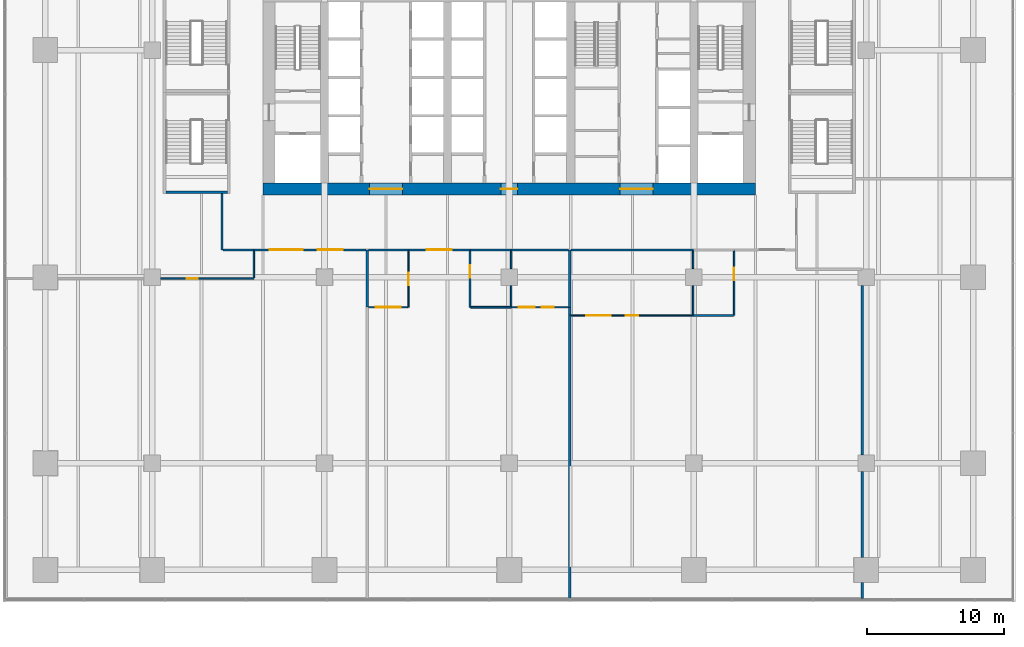
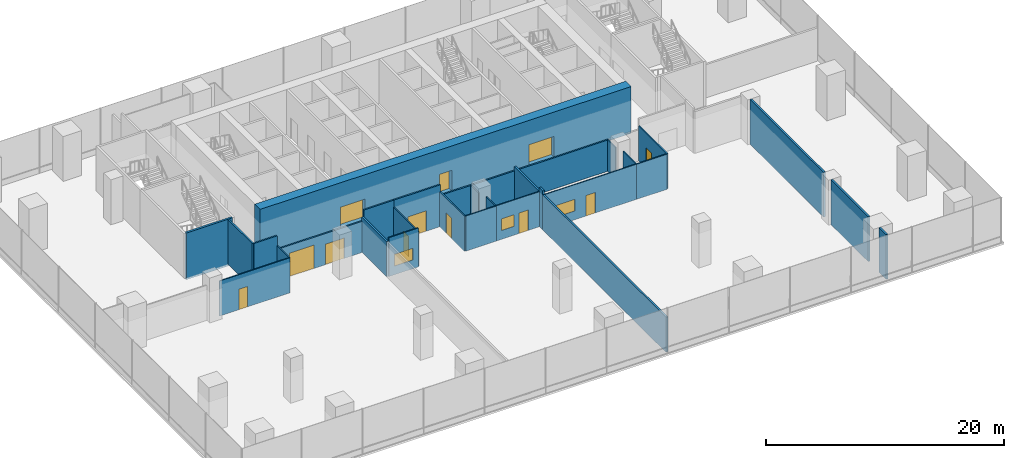
# One storey, part 19 of 28: 31 walls, 11 doors, 4 windows, 15 openings.
"""IFC4 building model written with IfcOpenShell, lengths in metres."""

from ifc_helpers import new_model, si_unit, direction, frame, frame_2d, origin, place, context, subcontext, project, spatial, rectangle, extrude, material, layer, layer_set, type_object, element, fill, save


model = new_model("IFC4")

# Units and contexts
model_context = context("Model", 3, precision=1e-05, world=origin(), true_north=direction((0.0, 1.0)))
body_context = subcontext(model_context, "Body", "Model", "MODEL_VIEW")
ifc_project = project(units=[si_unit("LENGTHUNIT", "METRE"), si_unit("AREAUNIT", "SQUARE_METRE"), si_unit("VOLUMEUNIT", "CUBIC_METRE"), si_unit("PLANEANGLEUNIT", "RADIAN"), si_unit("MASSUNIT", "GRAM", prefix="KILO")], contexts=[model_context])

# Site, building, storey
site_placement = place(None, origin())
site = spatial("IfcSite", under=ifc_project, at=site_placement, CompositionType="ELEMENT")
building_placement = place(site_placement, origin())
building = spatial("IfcBuilding", under=site, at=building_placement, Name="Rattan Terrace Tower", CompositionType="ELEMENT")
storey_placement = place(building_placement, frame((0.0, 0.0, 17.39990234375)))
storey = spatial("IfcBuildingStorey", under=building, at=storey_placement, Name="L03", CompositionType="ELEMENT", Elevation=17.39990234375)

# Wall, openings, doors
ifc_material_1 = material(Name="Concrete C70/85", Category="concrete")
ifc_layer_1 = layer(ifc_material_1, 0.89990234375)
ifc_layer_set_1 = layer_set([ifc_layer_1], Name="Core ring wall 900 C70/85")
wall_type_1 = type_object("IfcWallType", Name="Core ring wall 900 C70/85", PredefinedType="SHEAR", material=ifc_layer_set_1)
wall_1_placement = place(storey_placement, frame((-18.0, -7.050048828125, -0.199951171875), z_axis=(0.0, 0.0, 1.0), x_axis=(1.0, 0.0, 0.0)))
wall_1 = element("IfcWall", 1, at=wall_1_placement, inside=storey, type_object=wall_type_1, Name="Rear core wall south", PredefinedType="SHEAR", context=body_context, shape_type="SweptSolid", body=[
    extrude(rectangle(XDim=36.0, YDim=0.89990234375, at=frame_2d((18.0, 0.0))), origin(), (0.0, 0.0, 1.0), 4.800048828125),
])
opening_1_placement = place(wall_1_placement, frame((7.800048828125, 0.0, 0.199951171875)))
opening_1 = element("IfcOpeningElement", 2, at=opening_1_placement, cuts=wall_1, Name="Opening L03-D007", PredefinedType="OPENING", context=body_context, shape_type="SweptSolid", body=[
    extrude(rectangle(XDim=2.39990234375, YDim=2.10009765625, at=frame_2d((1.199951171875, 1.050048828125))), frame((0.0, 0.46044921875, 0.0), z_axis=(0.0, -1.0, 0.0), x_axis=(1.0, 0.0, 0.0)), (0.0, 0.0, 1.0), 0.9208984375),
])
opening_2_placement = place(wall_1_placement, frame((17.39990234375, 0.0, 0.199951171875)))
opening_2 = element("IfcOpeningElement", 3, at=opening_2_placement, cuts=wall_1, Name="Opening L03-D010", PredefinedType="OPENING", context=body_context, shape_type="SweptSolid", body=[
    extrude(rectangle(XDim=1.199951171875, YDim=2.10009765625, at=frame_2d((0.60009765625, 1.050048828125))), frame((0.0, 0.46044921875, 0.0), z_axis=(0.0, -1.0, 0.0), x_axis=(1.0, 0.0, 0.0)), (0.0, 0.0, 1.0), 0.9208984375),
])
opening_3_placement = place(wall_1_placement, frame((26.10009765625, 0.0, 0.199951171875)))
opening_3 = element("IfcOpeningElement", 4, at=opening_3_placement, cuts=wall_1, Name="Opening L03-D015", PredefinedType="OPENING", context=body_context, shape_type="SweptSolid", body=[
    extrude(rectangle(XDim=2.39990234375, YDim=2.10009765625, at=frame_2d((1.199951171875, 1.050048828125))), frame((0.0, 0.46044921875, 0.0), z_axis=(0.0, -1.0, 0.0), x_axis=(1.0, 0.0, 0.0)), (0.0, 0.0, 1.0), 0.9208984375),
])
ifc_material_2 = material(Name="Hollow-metal fire door leaf")
door_type_1 = type_object("IfcDoorType", Name="Core lift lobby door 2400", OperationType="NOTDEFINED", PredefinedType="DOOR", material=ifc_material_2)
door_1_placement = place(opening_1_placement, origin())
door_1 = element("IfcDoor", 5, at=door_1_placement, inside=storey, type_object=door_type_1, Name="Door L03-D007", OperationType="DOUBLE_DOOR_DOUBLE_SWING", OverallHeight=2.10009765625, OverallWidth=2.39990234375, PredefinedType="DOOR", context=body_context, shape_type="SweptSolid", body=[
    extrude(rectangle(XDim=2.39990234375, YDim=2.10009765625, at=frame_2d((1.199951171875, 1.050048828125))), frame((0.0, 0.02490234375, 0.0), z_axis=(0.0, -1.0, 0.0), x_axis=(1.0, 0.0, 0.0)), (0.0, 0.0, 1.0), 0.050048828125),
])
fill(opening_1, door_1)
door_2_placement = place(opening_3_placement, origin())
door_2 = element("IfcDoor", 6, at=door_2_placement, inside=storey, type_object=door_type_1, Name="Door L03-D015", OperationType="DOUBLE_DOOR_DOUBLE_SWING", OverallHeight=2.10009765625, OverallWidth=2.39990234375, PredefinedType="DOOR", context=body_context, shape_type="SweptSolid", body=[
    extrude(rectangle(XDim=2.39990234375, YDim=2.10009765625, at=frame_2d((1.199951171875, 1.050048828125))), frame((0.0, 0.02490234375, 0.0), z_axis=(0.0, -1.0, 0.0), x_axis=(1.0, 0.0, 0.0)), (0.0, 0.0, 1.0), 0.050048828125),
])
fill(opening_3, door_2)
ifc_material_3 = material(Name="Hollow-metal fire door leaf")
door_type_2 = type_object("IfcDoorType", Name="Core riser door 1200", OperationType="NOTDEFINED", PredefinedType="DOOR", material=ifc_material_3)
door_3_placement = place(opening_2_placement, origin())
door_3 = element("IfcDoor", 7, at=door_3_placement, inside=storey, type_object=door_type_2, Name="Door L03-D010", OperationType="SINGLE_SWING_RIGHT", OverallHeight=2.10009765625, OverallWidth=1.199951171875, PredefinedType="DOOR", context=body_context, shape_type="SweptSolid", body=[
    extrude(rectangle(XDim=1.199951171875, YDim=2.10009765625, at=frame_2d((0.60009765625, 1.050048828125))), frame((0.0, 0.02490234375, 0.0), z_axis=(0.0, -1.0, 0.0), x_axis=(1.0, 0.0, 0.0)), (0.0, 0.0, 1.0), 0.050048828125),
])
fill(opening_2, door_3)

# Walls
ifc_material_4 = material(Name="Double steel stud acoustic partition, gypsum board, mineral wool, fire rated", Category="steel")
ifc_layer_2 = layer(ifc_material_4, 0.179931640625)
ifc_layer_set_2 = layer_set([ifc_layer_2], Name="Floors Acoustic Party Wall 180")
wall_type_2 = type_object("IfcWallType", Name="Floors Acoustic Party Wall 180", PredefinedType="PARTITIONING", material=ifc_layer_set_2)
wall_2_placement = place(storey_placement, frame((-10.360107421875, -11.5, 0.0), z_axis=(0.0, 0.0, 1.0), x_axis=(0.0, -1.0, 0.0)))
element("IfcWall", 8, at=wall_2_placement, inside=storey, type_object=wall_type_2, Name="pt-L03-019", PredefinedType="PARTITIONING", context=body_context, shape_type="SweptSolid", body=[
    extrude(rectangle(XDim=4.179931640625, YDim=0.179931640625, at=frame_2d((2.08984375, 0.0))), origin(), (0.0, 0.0, 1.0), 3.60009765625),
])
wall_3_placement = place(storey_placement, frame((4.43994140625, -16.280029296875, 0.0), z_axis=(0.0, 0.0, 1.0), x_axis=(0.0, -1.0, 0.0)))
element("IfcWall", 9, at=wall_3_placement, inside=storey, type_object=wall_type_2, Name="pt-L03-027", PredefinedType="PARTITIONING", context=body_context, shape_type="SweptSolid", body=[
    extrude(rectangle(XDim=20.7099609375, YDim=0.179931640625, at=frame_2d((10.35498046875, 0.0))), origin(), (0.0, 0.0, 1.0), 3.60009765625),
])
wall_4_placement = place(storey_placement, frame((4.43994140625, -15.699951171875, 0.0), z_axis=(0.0, 0.0, 1.0), x_axis=(0.0, -1.0, 0.0)))
element("IfcWall", 10, at=wall_4_placement, inside=storey, type_object=wall_type_2, Name="pt-L03-028", PredefinedType="PARTITIONING", context=body_context, shape_type="SweptSolid", body=[
    extrude(rectangle(XDim=0.580078125, YDim=0.179931640625, at=frame_2d((0.2900390625, 0.0))), origin(), (0.0, 0.0, 1.0), 3.989990234375),
])
wall_5_placement = place(storey_placement, frame((4.43994140625, -11.5, 0.0), z_axis=(0.0, 0.0, 1.0), x_axis=(0.0, -1.0, 0.0)))
element("IfcWall", 11, at=wall_5_placement, inside=storey, type_object=wall_type_2, Name="pt-L03-031", PredefinedType="PARTITIONING", context=body_context, shape_type="SweptSolid", body=[
    extrude(rectangle(XDim=4.199951171875, YDim=0.179931640625, at=frame_2d((2.10009765625, 0.0))), origin(), (0.0, 0.0, 1.0), 3.60009765625),
])
wall_6_placement = place(storey_placement, frame((25.800048828125, -35.820068359375, 0.0), z_axis=(0.0, 0.0, 1.0), x_axis=(0.0, -1.0, 0.0)))
element("IfcWall", 12, at=wall_6_placement, inside=storey, type_object=wall_type_2, Name="pt-L03-037", PredefinedType="PARTITIONING", context=body_context, shape_type="SweptSolid", body=[
    extrude(rectangle(XDim=1.169921875, YDim=0.179931640625, at=frame_2d((0.5849609375, 0.0))), origin(), (0.0, 0.0, 1.0), 4.60009765625),
])
wall_7_placement = place(storey_placement, frame((25.800048828125, -27.719970703125, 0.0), z_axis=(0.0, 0.0, 1.0), x_axis=(0.0, -1.0, 0.0)))
element("IfcWall", 13, at=wall_7_placement, inside=storey, type_object=wall_type_2, Name="pt-L03-038", PredefinedType="PARTITIONING", context=body_context, shape_type="SweptSolid", body=[
    extrude(rectangle(XDim=6.260009765625, YDim=0.179931640625, at=frame_2d((3.1298828125, 0.0))), origin(), (0.0, 0.0, 1.0), 4.60009765625),
])
wall_8_placement = place(storey_placement, frame((25.800048828125, -14.1201171875, 0.0), z_axis=(0.0, 0.0, 1.0), x_axis=(0.0, -1.0, 0.0)))
element("IfcWall", 14, at=wall_8_placement, inside=storey, type_object=wall_type_2, Name="pt-L03-039", PredefinedType="PARTITIONING", context=body_context, shape_type="SweptSolid", body=[
    extrude(rectangle(XDim=12.35986328125, YDim=0.179931640625, at=frame_2d((6.179931640625, 0.0))), origin(), (0.0, 0.0, 1.0), 4.60009765625),
])

# Wall, opening, door
ifc_material_5 = material(Name="Gypsum board partition on steel studs", Category="steel")
ifc_layer_3 = layer(ifc_material_5, 0.10009765625)
ifc_layer_set_3 = layer_set([ifc_layer_3], Name="Floors Partition 100")
wall_type_3 = type_object("IfcWallType", Name="Floors Partition 100", PredefinedType="PARTITIONING", material=ifc_layer_set_3)
wall_9_placement = place(storey_placement, frame((-25.47998046875, -13.60595703125, 0.0), z_axis=(0.0, 0.0, 1.0), x_axis=(1.0, 0.0, 0.0)))
wall_9 = element("IfcWall", 15, at=wall_9_placement, inside=storey, type_object=wall_type_3, Name="pt-L03-016", PredefinedType="PARTITIONING", context=body_context, shape_type="SweptSolid", body=[
    extrude(rectangle(XDim=6.820068359375, YDim=0.10009765625, at=frame_2d((3.41015625, 0.0))), origin(), (0.0, 0.0, 1.0), 3.60009765625),
])
opening_4_placement = place(wall_9_placement, frame((1.906005859375, 0.0, 0.0)))
opening_4 = element("IfcOpeningElement", 16, at=opening_4_placement, cuts=wall_9, Name="Opening L03-D101", PredefinedType="OPENING", context=body_context, shape_type="SweptSolid", body=[
    extrude(rectangle(XDim=0.800048828125, YDim=2.10009765625, at=frame_2d((0.39990234375, 1.050048828125))), frame((0.0, 0.060546875, 0.0), z_axis=(0.0, -1.0, 0.0), x_axis=(1.0, 0.0, 0.0)), (0.0, 0.0, 1.0), 0.12109375),
])
ifc_material_6 = material(Name="Solid core timber door, painted", Category="wood")
door_type_3 = type_object("IfcDoorType", Name="Floors Store Door 800x2100", OperationType="NOTDEFINED", PredefinedType="DOOR", material=ifc_material_6)
door_4_placement = place(opening_4_placement, origin())
door_4 = element("IfcDoor", 17, at=door_4_placement, inside=storey, type_object=door_type_3, Name="d-L03-101", OperationType="SINGLE_SWING_LEFT", OverallHeight=2.10009765625, OverallWidth=0.800048828125, PredefinedType="DOOR", context=body_context, shape_type="SweptSolid", body=[
    extrude(rectangle(XDim=0.800048828125, YDim=2.10009765625, at=frame_2d((0.39990234375, 1.050048828125))), frame((0.0, 0.02490234375, 0.0), z_axis=(0.0, -1.0, 0.0), x_axis=(1.0, 0.0, 0.0)), (0.0, 0.0, 1.0), 0.050048828125),
])
fill(opening_4, door_4)

# Wall
wall_10_placement = place(storey_placement, frame((-18.659912109375, -13.555908203125, 0.0), z_axis=(0.0, 0.0, 1.0), x_axis=(0.0, 1.0, 0.0)))
element("IfcWall", 18, at=wall_10_placement, inside=storey, type_object=wall_type_3, Name="pt-L03-017", PredefinedType="PARTITIONING", context=body_context, shape_type="SweptSolid", body=[
    extrude(rectangle(XDim=1.98095703125, YDim=0.10009765625, at=frame_2d((0.990478515625, 0.0))), origin(), (0.0, 0.0, 1.0), 3.60009765625),
])

# Wall, opening, window
wall_11_placement = place(storey_placement, frame((-10.27001953125, -15.699951171875, 0.0), z_axis=(0.0, 0.0, 1.0), x_axis=(1.0, 0.0, 0.0)))
wall_11 = element("IfcWall", 19, at=wall_11_placement, inside=storey, type_object=wall_type_3, Name="pt-L03-022", PredefinedType="PARTITIONING", context=body_context, shape_type="SweptSolid", body=[
    extrude(rectangle(XDim=2.860107421875, YDim=0.10009765625, at=frame_2d((1.43017578125, 0.0))), origin(), (0.0, 0.0, 1.0), 3.989990234375),
])
opening_5_placement = place(wall_11_placement, frame((0.530029296875, 0.0, 0.89990234375)))
opening_5 = element("IfcOpeningElement", 20, at=opening_5_placement, cuts=wall_11, Name="Opening L03-W101", PredefinedType="OPENING", context=body_context, shape_type="SweptSolid", body=[
    extrude(rectangle(XDim=1.800048828125, YDim=1.199951171875, at=frame_2d((0.89990234375, 0.60009765625))), frame((0.0, 0.060546875, 0.0), z_axis=(0.0, -1.0, 0.0), x_axis=(1.0, 0.0, 0.0)), (0.0, 0.0, 1.0), 0.12109375),
])
ifc_material_7 = material(Name="Glass, clear, fixed in aluminium frame", Category="aluminium")
window_type_1 = type_object("IfcWindowType", Name="Interior Vision Window 1800x1200", PartitioningType="SINGLE_PANEL", PredefinedType="WINDOW", material=ifc_material_7)
window_1_placement = place(opening_5_placement, origin())
window_1 = element("IfcWindow", 21, at=window_1_placement, inside=storey, type_object=window_type_1, Name="w-L03-101", OverallHeight=1.199951171875, OverallWidth=1.800048828125, PartitioningType="SINGLE_PANEL", PredefinedType="WINDOW", context=body_context, shape_type="SweptSolid", body=[
    extrude(rectangle(XDim=1.800048828125, YDim=1.199951171875, at=frame_2d((0.89990234375, 0.60009765625))), frame((0.0, 0.030029296875, 0.0), z_axis=(0.0, -1.0, 0.0), x_axis=(1.0, 0.0, 0.0)), (0.0, 0.0, 1.0), 0.06005859375),
])
fill(opening_5, window_1)

# Wall, opening, door
wall_12_placement = place(storey_placement, frame((-7.360107421875, -15.699951171875, 0.0), z_axis=(0.0, 0.0, 1.0), x_axis=(0.0, 1.0, 0.0)))
wall_12 = element("IfcWall", 22, at=wall_12_placement, inside=storey, type_object=wall_type_3, Name="pt-L03-023", PredefinedType="PARTITIONING", context=body_context, shape_type="SweptSolid", body=[
    extrude(rectangle(XDim=4.125, YDim=0.10009765625, at=frame_2d((2.0625, 0.0))), origin(), (0.0, 0.0, 1.0), 3.60009765625),
])
opening_6_placement = place(wall_12_placement, frame((1.613037109375, 0.0, 0.0)))
opening_6 = element("IfcOpeningElement", 23, at=opening_6_placement, cuts=wall_12, Name="Opening L03-D103", PredefinedType="OPENING", context=body_context, shape_type="SweptSolid", body=[
    extrude(rectangle(XDim=0.89990234375, YDim=2.10009765625, at=frame_2d((0.449951171875, 1.050048828125))), frame((0.0, 0.060546875, 0.0), z_axis=(0.0, -1.0, 0.0), x_axis=(1.0, 0.0, 0.0)), (0.0, 0.0, 1.0), 0.12109375),
])
ifc_material_8 = material(Name="Solid core timber door, painted", Category="wood")
door_type_4 = type_object("IfcDoorType", Name="Floors Door 900x2100", OperationType="NOTDEFINED", PredefinedType="DOOR", material=ifc_material_8)
door_5_placement = place(opening_6_placement, origin())
door_5 = element("IfcDoor", 24, at=door_5_placement, inside=storey, type_object=door_type_4, Name="d-L03-103", OperationType="SINGLE_SWING_RIGHT", OverallHeight=2.10009765625, OverallWidth=0.89990234375, PredefinedType="DOOR", context=body_context, shape_type="SweptSolid", body=[
    extrude(rectangle(XDim=0.89990234375, YDim=2.10009765625, at=frame_2d((0.449951171875, 1.050048828125))), frame((0.0, 0.02490234375, 0.0), z_axis=(0.0, -1.0, 0.0), x_axis=(1.0, 0.0, 0.0)), (0.0, 0.0, 1.0), 0.050048828125),
])
fill(opening_6, door_5)

# Wall, openings, door, window
wall_13_placement = place(storey_placement, frame((0.159912109375, -15.699951171875, 0.0), z_axis=(0.0, 0.0, 1.0), x_axis=(1.0, 0.0, 0.0)))
wall_13 = element("IfcWall", 25, at=wall_13_placement, inside=storey, type_object=wall_type_3, Name="pt-L03-026", PredefinedType="PARTITIONING", context=body_context, shape_type="SweptSolid", body=[
    extrude(rectangle(XDim=4.190185546875, YDim=0.10009765625, at=frame_2d((2.09521484375, 0.0))), origin(), (0.0, 0.0, 1.0), 3.60009765625),
])
opening_7_placement = place(wall_13_placement, frame((2.202880859375, 0.0, 0.0)))
opening_7 = element("IfcOpeningElement", 26, at=opening_7_placement, cuts=wall_13, Name="Opening L03-D105", PredefinedType="OPENING", context=body_context, shape_type="SweptSolid", body=[
    extrude(rectangle(XDim=0.89990234375, YDim=2.10009765625, at=frame_2d((0.449951171875, 1.050048828125))), frame((0.0, 0.060546875, 0.0), z_axis=(0.0, -1.0, 0.0), x_axis=(1.0, 0.0, 0.0)), (0.0, 0.0, 1.0), 0.12109375),
])
opening_8_placement = place(wall_13_placement, frame((0.52099609375, 0.0, 0.89990234375)))
opening_8 = element("IfcOpeningElement", 27, at=opening_8_placement, cuts=wall_13, Name="Opening L03-W102", PredefinedType="OPENING", context=body_context, shape_type="SweptSolid", body=[
    extrude(rectangle(XDim=1.199951171875, YDim=1.199951171875, at=frame_2d((0.60009765625, 0.60009765625))), frame((0.0, 0.060546875, 0.0), z_axis=(0.0, -1.0, 0.0), x_axis=(1.0, 0.0, 0.0)), (0.0, 0.0, 1.0), 0.12109375),
])
door_6_placement = place(opening_7_placement, origin())
door_6 = element("IfcDoor", 28, at=door_6_placement, inside=storey, type_object=door_type_4, Name="d-L03-105", OperationType="SINGLE_SWING_RIGHT", OverallHeight=2.10009765625, OverallWidth=0.89990234375, PredefinedType="DOOR", context=body_context, shape_type="SweptSolid", body=[
    extrude(rectangle(XDim=0.89990234375, YDim=2.10009765625, at=frame_2d((0.449951171875, 1.050048828125))), frame((0.0, 0.02490234375, 0.0), z_axis=(0.0, -1.0, 0.0), x_axis=(1.0, 0.0, 0.0)), (0.0, 0.0, 1.0), 0.050048828125),
])
fill(opening_7, door_6)
ifc_material_9 = material(Name="Glass, clear, fixed in aluminium frame", Category="aluminium")
window_type_2 = type_object("IfcWindowType", Name="Interior Vision Window 1200x1200", PartitioningType="SINGLE_PANEL", PredefinedType="WINDOW", material=ifc_material_9)
window_2_placement = place(opening_8_placement, origin())
window_2 = element("IfcWindow", 29, at=window_2_placement, inside=storey, type_object=window_type_2, Name="w-L03-102", OverallHeight=1.199951171875, OverallWidth=1.199951171875, PartitioningType="SINGLE_PANEL", PredefinedType="WINDOW", context=body_context, shape_type="SweptSolid", body=[
    extrude(rectangle(XDim=1.199951171875, YDim=1.199951171875, at=frame_2d((0.60009765625, 0.60009765625))), frame((0.0, 0.030029296875, 0.0), z_axis=(0.0, -1.0, 0.0), x_axis=(1.0, 0.0, 0.0)), (0.0, 0.0, 1.0), 0.06005859375),
])
fill(opening_8, window_2)

wall_14_placement = place(storey_placement, frame((4.530029296875, -16.300048828125, 0.0), z_axis=(0.0, 0.0, 1.0), x_axis=(1.0, 0.0, 0.0)))
wall_14 = element("IfcWall", 30, at=wall_14_placement, inside=storey, type_object=wall_type_3, Name="pt-L03-032", PredefinedType="PARTITIONING", context=body_context, shape_type="SweptSolid", body=[
    extrude(rectangle(XDim=8.889892578125, YDim=0.10009765625, at=frame_2d((4.44482421875, 0.0))), origin(), (0.0, 0.0, 1.0), 3.60009765625),
])
opening_9_placement = place(wall_14_placement, frame((3.9951171875, 0.0, 0.0)))
opening_9 = element("IfcOpeningElement", 31, at=opening_9_placement, cuts=wall_14, Name="Opening L03-D107", PredefinedType="OPENING", context=body_context, shape_type="SweptSolid", body=[
    extrude(rectangle(XDim=0.89990234375, YDim=2.10009765625, at=frame_2d((0.449951171875, 1.050048828125))), frame((0.0, 0.060546875, 0.0), z_axis=(0.0, -1.0, 0.0), x_axis=(1.0, 0.0, 0.0)), (0.0, 0.0, 1.0), 0.12109375),
])
opening_10_placement = place(wall_14_placement, frame((1.097900390625, 0.0, 0.89990234375)))
opening_10 = element("IfcOpeningElement", 32, at=opening_10_placement, cuts=wall_14, Name="Opening L03-W103", PredefinedType="OPENING", context=body_context, shape_type="SweptSolid", body=[
    extrude(rectangle(XDim=1.800048828125, YDim=1.199951171875, at=frame_2d((0.89990234375, 0.60009765625))), frame((0.0, 0.060546875, 0.0), z_axis=(0.0, -1.0, 0.0), x_axis=(1.0, 0.0, 0.0)), (0.0, 0.0, 1.0), 0.12109375),
])
door_7_placement = place(opening_9_placement, origin())
door_7 = element("IfcDoor", 33, at=door_7_placement, inside=storey, type_object=door_type_4, Name="d-L03-107", OperationType="SINGLE_SWING_RIGHT", OverallHeight=2.10009765625, OverallWidth=0.89990234375, PredefinedType="DOOR", context=body_context, shape_type="SweptSolid", body=[
    extrude(rectangle(XDim=0.89990234375, YDim=2.10009765625, at=frame_2d((0.449951171875, 1.050048828125))), frame((0.0, 0.02490234375, 0.0), z_axis=(0.0, -1.0, 0.0), x_axis=(1.0, 0.0, 0.0)), (0.0, 0.0, 1.0), 0.050048828125),
])
fill(opening_9, door_7)
window_3_placement = place(opening_10_placement, origin())
window_3 = element("IfcWindow", 34, at=window_3_placement, inside=storey, type_object=window_type_1, Name="w-L03-103", OverallHeight=1.199951171875, OverallWidth=1.800048828125, PartitioningType="SINGLE_PANEL", PredefinedType="WINDOW", context=body_context, shape_type="SweptSolid", body=[
    extrude(rectangle(XDim=1.800048828125, YDim=1.199951171875, at=frame_2d((0.89990234375, 0.60009765625))), frame((0.0, 0.030029296875, 0.0), z_axis=(0.0, -1.0, 0.0), x_axis=(1.0, 0.0, 0.0)), (0.0, 0.0, 1.0), 0.06005859375),
])
fill(opening_10, window_3)

ifc_material_10 = material(Name="Gypsum board partition on steel studs, fire rated", Category="steel")
ifc_layer_4 = layer(ifc_material_10, 0.14990234375)
ifc_layer_set_4 = layer_set([ifc_layer_4], Name="Floors Tenancy Wall 150")
wall_type_4 = type_object("IfcWallType", Name="Floors Tenancy Wall 150", PredefinedType="PARTITIONING", material=ifc_layer_set_4)
wall_15_placement = place(storey_placement, frame((-10.449951171875, -11.5, 0.0), z_axis=(0.0, 0.0, 1.0), x_axis=(-1.0, 0.0, 0.0)))
wall_15 = element("IfcWall", 35, at=wall_15_placement, inside=storey, type_object=wall_type_4, Name="pt-L03-001", PredefinedType="PARTITIONING", context=body_context, shape_type="SweptSolid", body=[
    extrude(rectangle(XDim=8.22998046875, YDim=0.14990234375, at=frame_2d((4.114990234375, 0.0))), origin(), (0.0, 0.0, 1.0), 3.2001953125),
])
opening_11_placement = place(wall_15_placement, frame((1.73291015625, 0.0, 0.0)))
opening_11 = element("IfcOpeningElement", 36, at=opening_11_placement, cuts=wall_15, Name="Opening L03-D100", PredefinedType="OPENING", context=body_context, shape_type="SweptSolid", body=[
    extrude(rectangle(XDim=1.800048828125, YDim=2.10009765625, at=frame_2d((0.89990234375, 1.050048828125))), frame((0.0, 0.08544921875, 0.0), z_axis=(0.0, -1.0, 0.0), x_axis=(1.0, 0.0, 0.0)), (0.0, 0.0, 1.0), 0.1708984375),
])
opening_12_placement = place(wall_15_placement, frame((4.64599609375, 0.0, 0.0)))
opening_12 = element("IfcOpeningElement", 37, at=opening_12_placement, cuts=wall_15, Name="Opening L03-W100", PredefinedType="OPENING", context=body_context, shape_type="SweptSolid", body=[
    extrude(rectangle(XDim=2.39990234375, YDim=2.39990234375, at=frame_2d((1.199951171875, 1.199951171875))), frame((0.0, 0.08544921875, 0.0), z_axis=(0.0, -1.0, 0.0), x_axis=(1.0, 0.0, 0.0)), (0.0, 0.0, 1.0), 0.1708984375),
])
ifc_material_11 = material(Name="Steel fire door set", Category="steel")
door_type_5 = type_object("IfcDoorType", Name="Floors Fire Door Pair FD30S 1800x2100", OperationType="NOTDEFINED", PredefinedType="DOOR", material=ifc_material_11)
door_8_placement = place(opening_11_placement, origin())
door_8 = element("IfcDoor", 38, at=door_8_placement, inside=storey, type_object=door_type_5, Name="d-L03-100", OperationType="DOUBLE_DOOR_SINGLE_SWING", OverallHeight=2.10009765625, OverallWidth=1.800048828125, PredefinedType="DOOR", context=body_context, shape_type="SweptSolid", body=[
    extrude(rectangle(XDim=1.800048828125, YDim=2.10009765625, at=frame_2d((0.89990234375, 1.050048828125))), frame((0.0, 0.02490234375, 0.0), z_axis=(0.0, -1.0, 0.0), x_axis=(1.0, 0.0, 0.0)), (0.0, 0.0, 1.0), 0.050048828125),
])
fill(opening_11, door_8)
ifc_material_12 = material(Name="Glass, clear, fixed in aluminium frame", Category="aluminium")
window_type_3 = type_object("IfcWindowType", Name="Interior Glazed Screen 2400x2400", PartitioningType="SINGLE_PANEL", PredefinedType="WINDOW", material=ifc_material_12)
window_4_placement = place(opening_12_placement, origin())
window_4 = element("IfcWindow", 39, at=window_4_placement, inside=storey, type_object=window_type_3, Name="w-L03-100", OverallHeight=2.39990234375, OverallWidth=2.39990234375, PartitioningType="SINGLE_PANEL", PredefinedType="WINDOW", context=body_context, shape_type="SweptSolid", body=[
    extrude(rectangle(XDim=2.39990234375, YDim=2.39990234375, at=frame_2d((1.199951171875, 1.199951171875))), frame((0.0, 0.030029296875, 0.0), z_axis=(0.0, -1.0, 0.0), x_axis=(1.0, 0.0, 0.0)), (0.0, 0.0, 1.0), 0.06005859375),
])
fill(opening_12, window_4)

# Walls
wall_16_placement = place(storey_placement, frame((-21.0, -11.5, 0.0), z_axis=(0.0, 0.0, 1.0), x_axis=(0.0, 1.0, 0.0)))
element("IfcWall", 40, at=wall_16_placement, inside=storey, type_object=wall_type_4, Name="pt-L03-002", PredefinedType="PARTITIONING", context=body_context, shape_type="SweptSolid", body=[
    extrude(rectangle(XDim=4.10009765625, YDim=0.14990234375, at=frame_2d((2.050048828125, 0.0))), origin(), (0.0, 0.0, 1.0), 4.60009765625),
])
wall_17_placement = place(storey_placement, frame((-18.679931640625, -11.5009765625, 0.0), z_axis=(0.0, 0.0, 1.0), x_axis=(-1.0, 0.0, 0.0)))
element("IfcWall", 41, at=wall_17_placement, inside=storey, type_object=wall_type_4, Name="pt-L03-003", PredefinedType="PARTITIONING", context=body_context, shape_type="SweptSolid", body=[
    extrude(rectangle(XDim=2.2451171875, YDim=0.14990234375, at=frame_2d((1.12255859375, 0.0))), origin(), (0.0, 0.0, 1.0), 4.60009765625),
])

# Wall, opening, door
wall_18_placement = place(storey_placement, frame((-2.840087890625, -11.5, 0.0), z_axis=(0.0, 0.0, 1.0), x_axis=(-1.0, 0.0, 0.0)))
wall_18 = element("IfcWall", 42, at=wall_18_placement, inside=storey, type_object=wall_type_4, Name="pt-L03-004", PredefinedType="PARTITIONING", context=body_context, shape_type="SweptSolid", body=[
    extrude(rectangle(XDim=4.539794921875, YDim=0.14990234375, at=frame_2d((2.27001953125, 0.0))), origin(), (0.0, 0.0, 1.0), 4.300048828125),
])
opening_13_placement = place(wall_18_placement, frame((1.3701171875, 0.0, 0.0)))
opening_13 = element("IfcOpeningElement", 43, at=opening_13_placement, cuts=wall_18, Name="Opening L03-D102", PredefinedType="OPENING", context=body_context, shape_type="SweptSolid", body=[
    extrude(rectangle(XDim=1.800048828125, YDim=2.10009765625, at=frame_2d((0.89990234375, 1.050048828125))), frame((0.0, 0.08544921875, 0.0), z_axis=(0.0, -1.0, 0.0), x_axis=(1.0, 0.0, 0.0)), (0.0, 0.0, 1.0), 0.1708984375),
])
door_9_placement = place(opening_13_placement, origin())
door_9 = element("IfcDoor", 44, at=door_9_placement, inside=storey, type_object=door_type_5, Name="d-L03-102", OperationType="DOUBLE_DOOR_SINGLE_SWING", OverallHeight=2.10009765625, OverallWidth=1.800048828125, PredefinedType="DOOR", context=body_context, shape_type="SweptSolid", body=[
    extrude(rectangle(XDim=1.800048828125, YDim=2.10009765625, at=frame_2d((0.89990234375, 1.050048828125))), frame((0.0, 0.02490234375, 0.0), z_axis=(0.0, -1.0, 0.0), x_axis=(1.0, 0.0, 0.0)), (0.0, 0.0, 1.0), 0.050048828125),
])
fill(opening_13, door_9)

# Walls
wall_19_placement = place(storey_placement, frame((-7.3798828125, -11.5, 0.0), z_axis=(0.0, 0.0, 1.0), x_axis=(-1.0, 0.0, 0.0)))
element("IfcWall", 45, at=wall_19_placement, inside=storey, type_object=wall_type_4, Name="pt-L03-005", PredefinedType="PARTITIONING", context=body_context, shape_type="SweptSolid", body=[
    extrude(rectangle(XDim=2.89013671875, YDim=0.14990234375, at=frame_2d((1.445068359375, 0.0))), origin(), (0.0, 0.0, 1.0), 4.300048828125),
])
wall_20_placement = place(storey_placement, frame((0.1201171875, -11.5, 0.0), z_axis=(0.0, 0.0, 1.0), x_axis=(-1.0, 0.0, 0.0)))
element("IfcWall", 46, at=wall_20_placement, inside=storey, type_object=wall_type_4, Name="pt-L03-006", PredefinedType="PARTITIONING", context=body_context, shape_type="SweptSolid", body=[
    extrude(rectangle(XDim=2.960205078125, YDim=0.14990234375, at=frame_2d((1.47998046875, 0.0))), origin(), (0.0, 0.0, 1.0), 3.2001953125),
])
wall_21_placement = place(storey_placement, frame((4.35009765625, -11.5, 0.0), z_axis=(0.0, 0.0, 1.0), x_axis=(-1.0, 0.0, 0.0)))
element("IfcWall", 47, at=wall_21_placement, inside=storey, type_object=wall_type_4, Name="pt-L03-007", PredefinedType="PARTITIONING", context=body_context, shape_type="SweptSolid", body=[
    extrude(rectangle(XDim=4.22998046875, YDim=0.14990234375, at=frame_2d((2.114990234375, 0.0))), origin(), (0.0, 0.0, 1.0), 3.2001953125),
])
wall_22_placement = place(storey_placement, frame((13.4599609375, -11.5, 0.0), z_axis=(0.0, 0.0, 1.0), x_axis=(-1.0, 0.0, 0.0)))
element("IfcWall", 48, at=wall_22_placement, inside=storey, type_object=wall_type_4, Name="pt-L03-009", PredefinedType="PARTITIONING", context=body_context, shape_type="SweptSolid", body=[
    extrude(rectangle(XDim=8.929931640625, YDim=0.14990234375, at=frame_2d((4.46484375, 0.0))), origin(), (0.0, 0.0, 1.0), 3.2001953125),
])

# Wall, opening, door
ifc_material_13 = material(Name="Moisture resistant gypsum board partition on steel studs with service cavity", Category="steel")
ifc_layer_5 = layer(ifc_material_13, 0.1201171875)
ifc_layer_set_5 = layer_set([ifc_layer_5], Name="Floors Wet Wall 120")
wall_type_5 = type_object("IfcWallType", Name="Floors Wet Wall 120", PredefinedType="PARTITIONING", material=ifc_layer_set_5)
wall_23_placement = place(storey_placement, frame((-2.860107421875, -11.574951171875, 0.0), z_axis=(0.0, 0.0, 1.0), x_axis=(0.0, -1.0, 0.0)))
wall_23 = element("IfcWall", 49, at=wall_23_placement, inside=storey, type_object=wall_type_5, Name="pt-L03-024", PredefinedType="PARTITIONING", context=body_context, shape_type="SweptSolid", body=[
    extrude(rectangle(XDim=4.125, YDim=0.1201171875, at=frame_2d((2.0625, 0.0))), origin(), (0.0, 0.0, 1.0), 3.60009765625),
])
opening_14_placement = place(wall_23_placement, frame((1.06689453125, 0.0, 0.0)))
opening_14 = element("IfcOpeningElement", 50, at=opening_14_placement, cuts=wall_23, Name="Opening L03-D104", PredefinedType="OPENING", context=body_context, shape_type="SweptSolid", body=[
    extrude(rectangle(XDim=0.89990234375, YDim=2.10009765625, at=frame_2d((0.449951171875, 1.050048828125))), frame((0.0, 0.070556640625, 0.0), z_axis=(0.0, -1.0, 0.0), x_axis=(1.0, 0.0, 0.0)), (0.0, 0.0, 1.0), 0.14111328125),
])
door_10_placement = place(opening_14_placement, origin())
door_10 = element("IfcDoor", 51, at=door_10_placement, inside=storey, type_object=door_type_4, Name="d-L03-104", OperationType="SINGLE_SWING_LEFT", OverallHeight=2.10009765625, OverallWidth=0.89990234375, PredefinedType="DOOR", context=body_context, shape_type="SweptSolid", body=[
    extrude(rectangle(XDim=0.89990234375, YDim=2.10009765625, at=frame_2d((0.449951171875, 1.050048828125))), frame((0.0, 0.02490234375, 0.0), z_axis=(0.0, -1.0, 0.0), x_axis=(1.0, 0.0, 0.0)), (0.0, 0.0, 1.0), 0.050048828125),
])
fill(opening_14, door_10)

# Walls
wall_24_placement = place(storey_placement, frame((-2.800048828125, -15.700927734375, 0.0), z_axis=(0.0, 0.0, 1.0), x_axis=(1.0, 0.0, 0.0)))
element("IfcWall", 52, at=wall_24_placement, inside=storey, type_object=wall_type_5, Name="pt-L03-025", PredefinedType="PARTITIONING", context=body_context, shape_type="SweptSolid", body=[
    extrude(rectangle(XDim=2.9599609375, YDim=0.1201171875, at=frame_2d((1.47998046875, 0.0))), origin(), (0.0, 0.0, 1.0), 3.60009765625),
])
wall_25_placement = place(storey_placement, frame((0.139892578125, -14.1201171875, 0.0), z_axis=(0.0, 0.0, 1.0), x_axis=(0.0, -1.0, 0.0)))
element("IfcWall", 53, at=wall_25_placement, inside=storey, type_object=wall_type_5, Name="pt-L03-029", PredefinedType="PARTITIONING", context=body_context, shape_type="SweptSolid", body=[
    extrude(rectangle(XDim=1.52099609375, YDim=0.1201171875, at=frame_2d((0.760498046875, 0.0))), origin(), (0.0, 0.0, 1.0), 3.60009765625),
])
wall_26_placement = place(storey_placement, frame((0.139892578125, -11.574951171875, 0.0), z_axis=(0.0, 0.0, 1.0), x_axis=(0.0, -1.0, 0.0)))
element("IfcWall", 54, at=wall_26_placement, inside=storey, type_object=wall_type_5, Name="pt-L03-030", PredefinedType="PARTITIONING", context=body_context, shape_type="SweptSolid", body=[
    extrude(rectangle(XDim=1.304931640625, YDim=0.1201171875, at=frame_2d((0.65234375, 0.0))), origin(), (0.0, 0.0, 1.0), 3.2001953125),
])
wall_27_placement = place(storey_placement, frame((13.419921875, -16.301025390625, 0.0), z_axis=(0.0, 0.0, 1.0), x_axis=(1.0, 0.0, 0.0)))
element("IfcWall", 55, at=wall_27_placement, inside=storey, type_object=wall_type_5, Name="pt-L03-033", PredefinedType="PARTITIONING", context=body_context, shape_type="SweptSolid", body=[
    extrude(rectangle(XDim=2.9599609375, YDim=0.1201171875, at=frame_2d((1.47998046875, 0.0))), origin(), (0.0, 0.0, 1.0), 3.60009765625),
])

# Wall, opening, door
wall_28_placement = place(storey_placement, frame((16.43994140625, -16.300048828125, 0.0), z_axis=(0.0, 0.0, 1.0), x_axis=(0.0, 1.0, 0.0)))
wall_28 = element("IfcWall", 56, at=wall_28_placement, inside=storey, type_object=wall_type_5, Name="pt-L03-034", PredefinedType="PARTITIONING", context=body_context, shape_type="SweptSolid", body=[
    extrude(rectangle(XDim=4.72509765625, YDim=0.1201171875, at=frame_2d((2.362548828125, 0.0))), origin(), (0.0, 0.0, 1.0), 3.60009765625),
])
opening_15_placement = place(wall_28_placement, frame((2.577880859375, 0.0, 0.0)))
opening_15 = element("IfcOpeningElement", 57, at=opening_15_placement, cuts=wall_28, Name="Opening L03-D108", PredefinedType="OPENING", context=body_context, shape_type="SweptSolid", body=[
    extrude(rectangle(XDim=0.89990234375, YDim=2.10009765625, at=frame_2d((0.449951171875, 1.050048828125))), frame((0.0, 0.070556640625, 0.0), z_axis=(0.0, -1.0, 0.0), x_axis=(1.0, 0.0, 0.0)), (0.0, 0.0, 1.0), 0.14111328125),
])
door_11_placement = place(opening_15_placement, origin())
door_11 = element("IfcDoor", 58, at=door_11_placement, inside=storey, type_object=door_type_4, Name="d-L03-108", OperationType="SINGLE_SWING_RIGHT", OverallHeight=2.10009765625, OverallWidth=0.89990234375, PredefinedType="DOOR", context=body_context, shape_type="SweptSolid", body=[
    extrude(rectangle(XDim=0.89990234375, YDim=2.10009765625, at=frame_2d((0.449951171875, 1.050048828125))), frame((0.0, 0.02490234375, 0.0), z_axis=(0.0, -1.0, 0.0), x_axis=(1.0, 0.0, 0.0)), (0.0, 0.0, 1.0), 0.050048828125),
])
fill(opening_15, door_11)

# Walls
wall_29_placement = place(storey_placement, frame((13.43994140625, -14.1201171875, 0.0), z_axis=(0.0, 0.0, 1.0), x_axis=(0.0, -1.0, 0.0)))
element("IfcWall", 59, at=wall_29_placement, inside=storey, type_object=wall_type_5, Name="pt-L03-040", PredefinedType="PARTITIONING", context=body_context, shape_type="SweptSolid", body=[
    extrude(rectangle(XDim=2.120849609375, YDim=0.1201171875, at=frame_2d((1.060546875, 0.0))), origin(), (0.0, 0.0, 1.0), 3.60009765625),
])
wall_30_placement = place(storey_placement, frame((13.43994140625, -11.574951171875, 0.0), z_axis=(0.0, 0.0, 1.0), x_axis=(0.0, -1.0, 0.0)))
element("IfcWall", 60, at=wall_30_placement, inside=storey, type_object=wall_type_5, Name="pt-L03-041", PredefinedType="PARTITIONING", context=body_context, shape_type="SweptSolid", body=[
    extrude(rectangle(XDim=1.304931640625, YDim=0.1201171875, at=frame_2d((0.65234375, 0.0))), origin(), (0.0, 0.0, 1.0), 3.2001953125),
])
ifc_material_14 = material(Name="Concrete C40/50", Category="concrete")
ifc_layer_6 = layer(ifc_material_14, 0.199951171875)
ifc_layer_set_6 = layer_set([ifc_layer_6], Name="Podium exit stair shaft wall 200")
wall_type_6 = type_object("IfcWallType", Name="Podium exit stair shaft wall 200", PredefinedType="SHEAR", material=ifc_layer_set_6)
wall_31_placement = place(storey_placement, frame((-25.10009765625, -7.300048828125, -0.199951171875), z_axis=(0.0, 0.0, 1.0), x_axis=(1.0, 0.0, 0.0)))
element("IfcWall", 61, at=wall_31_placement, inside=storey, type_object=wall_type_6, Name="L03 stair S4 shaft wall", PredefinedType="SHEAR", context=body_context, shape_type="SweptSolid", body=[
    extrude(rectangle(XDim=4.5, YDim=0.199951171875, at=frame_2d((2.25, 0.0))), origin(), (0.0, 0.0, 1.0), 4.800048828125),
])

save(model, "model.ifc")
